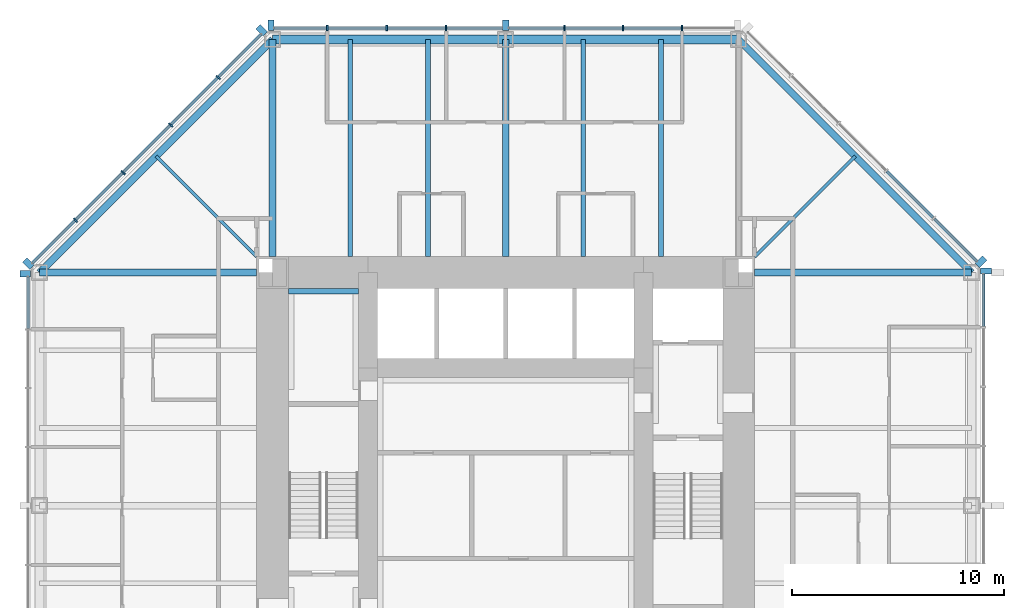
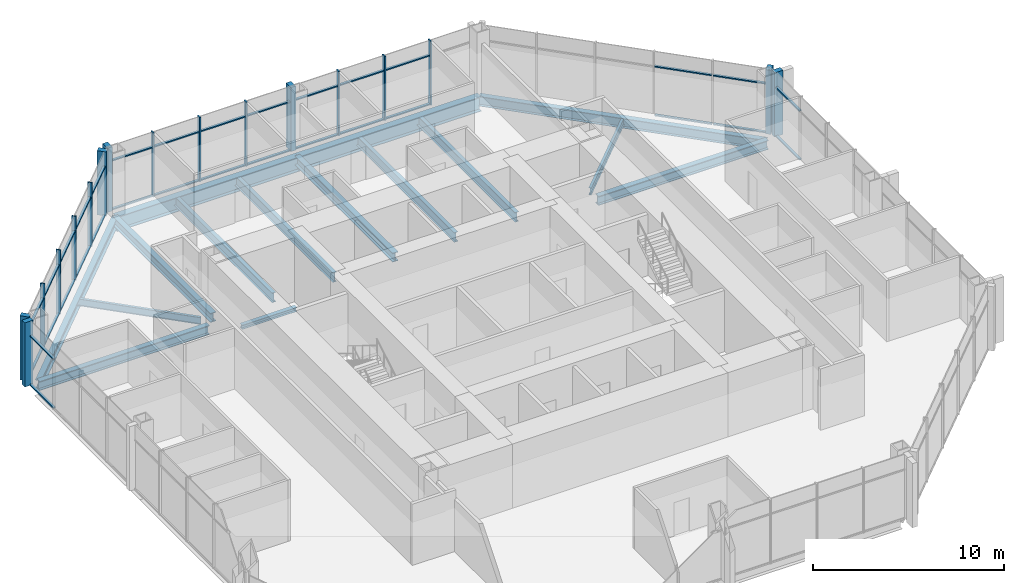
# One storey, part 5 of 12: 49 members, 15 beams, 5 elements without a shape of their own.
"""IFC4 building model written with IfcOpenShell, lengths in metres."""

from ifc_helpers import new_model, si_unit, direction, frame, origin, origin_2d, place, context, subcontext, project, spatial, rectangle, i_section, extrude, material, material_profile, profile_set, type_object, element, aggregate, save


model = new_model("IFC4")

# Units and contexts
model_context = context("Model", 3, precision=1e-05, world=origin(), true_north=direction((0.0, 1.0)))
body_context = subcontext(model_context, "Body", "Model", "MODEL_VIEW")
ifc_project = project(units=[si_unit("LENGTHUNIT", "METRE"), si_unit("AREAUNIT", "SQUARE_METRE"), si_unit("VOLUMEUNIT", "CUBIC_METRE"), si_unit("PLANEANGLEUNIT", "RADIAN"), si_unit("MASSUNIT", "GRAM", prefix="KILO")], contexts=[model_context])

# Site, building, storey
site_placement = place(None, origin())
site = spatial("IfcSite", under=ifc_project, at=site_placement, CompositionType="ELEMENT")
building_placement = place(site_placement, origin())
building = spatial("IfcBuilding", under=site, at=building_placement, Name="Trevanion Tower", CompositionType="ELEMENT")
storey_placement = place(building_placement, frame((0.0, 0.0, 125.39990234375)))
storey = spatial("IfcBuildingStorey", under=building, at=storey_placement, Name="L29", CompositionType="ELEMENT", Elevation=125.39990234375)

# Beams
ifc_material_1 = material(Name="Steel ASTM A992 Grade 50", Category="steel")
ifc_material_profile_1 = material_profile(ifc_material_1, i_section(OverallWidth=0.22900390625, OverallDepth=0.612060546875, WebThickness=0.011962890625, FlangeThickness=0.01953125, at=origin_2d()), Name="W24X84")
ifc_profile_set_1 = profile_set([ifc_material_profile_1], Name="Steel ASTM A992 Grade 50")
beam_type_1 = type_object("IfcBeamType", Name="B7 W24X84", PredefinedType="BEAM", material=ifc_profile_set_1)
for number, where, z_axis, x_axis, name in (
    (1, (7.333251953125, 11.75, -0.49609375), (0.0, 1.0, 0.0), (-1.0, 0.0, 0.0), "B7 L29"),
    (2, (3.666748046875, 11.75, -0.49609375), (0.0, 1.0, 0.0), (-1.0, 0.0, 0.0), "B7 L29"),
    (3, (-3.666748046875, 11.75, -0.49609375), (0.0, 1.0, 0.0), (-1.0, 0.0, 0.0), "B7 L29"),
    (4, (-7.333251953125, 11.75, -0.49609375), (0.0, 1.0, 0.0), (-1.0, 0.0, 0.0), "B7 L29"),
):
    element("IfcBeam", number, at=place(storey_placement, frame(where, z_axis=z_axis, x_axis=x_axis)), inside=storey, type_object=beam_type_1, Name=name, PredefinedType="BEAM", context=body_context, shape_type="SweptSolid", body=[
        extrude(i_section(OverallWidth=0.22900390625, OverallDepth=0.612060546875, WebThickness=0.011962890625, FlangeThickness=0.01953125, at=origin_2d()), origin(), (0.0, 0.0, 1.0), 10.25),
    ])
ifc_material_2 = material(Name="Steel ASTM A992 Grade 50", Category="steel")
ifc_material_profile_2 = material_profile(ifc_material_2, i_section(OverallWidth=0.15234375, OverallDepth=0.449462890625, WebThickness=0.007568359375, FlangeThickness=0.0107421875, at=origin_2d()), Name="W18X35")
ifc_profile_set_2 = profile_set([ifc_material_profile_2], Name="Steel ASTM A992 Grade 50")
beam_type_2 = type_object("IfcBeamType", Name="B8 W18X35", PredefinedType="BEAM", material=ifc_profile_set_2)
for number, where, z_axis, x_axis, name in (
    (5, (11.75, 11.75, -0.414794921875), (0.707106781187, 0.707106781187, 0.0), (-0.707106781187, 0.707106781187, 0.0), "B8 L29"),
    (6, (-11.75, 11.75, -0.414794921875), (-0.707106781187, 0.707106781187, 0.0), (-0.707106781187, -0.707106781187, 0.0), "B8 L29"),
):
    element("IfcBeam", number, at=place(storey_placement, frame(where, z_axis=z_axis, x_axis=x_axis)), inside=storey, type_object=beam_type_2, Name=name, PredefinedType="BEAM", context=body_context, shape_type="SweptSolid", body=[
        extrude(i_section(OverallWidth=0.15234375, OverallDepth=0.449462890625, WebThickness=0.007568359375, FlangeThickness=0.0107421875, at=origin_2d()), origin(), (0.0, 0.0, 1.0), 6.717529296875),
    ])

# Curtain wall, members
ifc_material_3 = material(Name="Aluminium and glass", Category="aluminium")
curtain_wall_type = type_object("IfcCurtainWallType", Name="CW2 curtain wall", PredefinedType="USERDEFINED", material=ifc_material_3)
curtain_wall_1_placement = place(storey_placement, origin())
curtain_wall_1 = element("IfcCurtainWall", 7, at=curtain_wall_1_placement, inside=storey, type_object=curtain_wall_type, Name="CW2 L29 2", ObjectType="UNITISED CURTAIN WALL", PredefinedType="USERDEFINED")
ifc_material_4 = material(Name="Aluminium extrusion, anodised bronze", Category="aluminium")
ifc_material_profile_3 = material_profile(ifc_material_4, rectangle(XDim=0.074951171875, YDim=0.25, at=origin_2d()), Name="CW2 mullion")
ifc_profile_set_3 = profile_set([ifc_material_profile_3], Name="Aluminium extrusion, anodised bronze")
member_type_1 = type_object("IfcMemberType", Name="CW2 mullion", PredefinedType="MULLION", material=ifc_profile_set_3)
member_1_placement = place(storey_placement, frame((8.323486328125, 22.550048828125, -0.18994140625), z_axis=(0.0, 0.0, 1.0), x_axis=(-1.0, 0.0, 0.0)))
member_1 = element("IfcMember", 8, at=member_1_placement, type_object=member_type_1, Name="CW2 mullion 2", PredefinedType="MULLION", context=body_context, shape_type="SweptSolid", body=[
    extrude(rectangle(XDim=0.074951171875, YDim=0.25, at=origin_2d()), origin(), (0.0, 0.0, 1.0), 4.10009765625),
])
member_2_placement = place(storey_placement, frame((5.548828125, 22.550048828125, -0.18994140625), z_axis=(0.0, 0.0, 1.0), x_axis=(-1.0, 0.0, 0.0)))
member_2 = element("IfcMember", 9, at=member_2_placement, type_object=member_type_1, Name="CW2 mullion 3", PredefinedType="MULLION", context=body_context, shape_type="SweptSolid", body=[
    extrude(rectangle(XDim=0.074951171875, YDim=0.25, at=origin_2d()), origin(), (0.0, 0.0, 1.0), 4.10009765625),
])
member_3_placement = place(storey_placement, frame((2.7744140625, 22.550048828125, -0.18994140625), z_axis=(0.0, 0.0, 1.0), x_axis=(-1.0, 0.0, 0.0)))
member_3 = element("IfcMember", 10, at=member_3_placement, type_object=member_type_1, Name="CW2 mullion 4", PredefinedType="MULLION", context=body_context, shape_type="SweptSolid", body=[
    extrude(rectangle(XDim=0.074951171875, YDim=0.25, at=origin_2d()), origin(), (0.0, 0.0, 1.0), 4.10009765625),
])
member_4_placement = place(storey_placement, frame((-2.806884765625, 22.550048828125, -0.18994140625), z_axis=(0.0, 0.0, 1.0), x_axis=(-1.0, 0.0, 0.0)))
member_4 = element("IfcMember", 11, at=member_4_placement, type_object=member_type_1, Name="CW2 mullion 6", PredefinedType="MULLION", context=body_context, shape_type="SweptSolid", body=[
    extrude(rectangle(XDim=0.074951171875, YDim=0.25, at=origin_2d()), origin(), (0.0, 0.0, 1.0), 4.10009765625),
])
member_5_placement = place(storey_placement, frame((-5.614013671875, 22.550048828125, -0.18994140625), z_axis=(0.0, 0.0, 1.0), x_axis=(-1.0, 0.0, 0.0)))
member_5 = element("IfcMember", 12, at=member_5_placement, type_object=member_type_1, Name="CW2 mullion 7", PredefinedType="MULLION", context=body_context, shape_type="SweptSolid", body=[
    extrude(rectangle(XDim=0.074951171875, YDim=0.25, at=origin_2d()), origin(), (0.0, 0.0, 1.0), 4.10009765625),
])
member_6_placement = place(storey_placement, frame((-8.4208984375, 22.550048828125, -0.18994140625), z_axis=(0.0, 0.0, 1.0), x_axis=(-1.0, 0.0, 0.0)))
member_6 = element("IfcMember", 13, at=member_6_placement, type_object=member_type_1, Name="CW2 mullion 8", PredefinedType="MULLION", context=body_context, shape_type="SweptSolid", body=[
    extrude(rectangle(XDim=0.074951171875, YDim=0.25, at=origin_2d()), origin(), (0.0, 0.0, 1.0), 4.10009765625),
])

curtain_wall_2_placement = place(storey_placement, origin())
curtain_wall_2 = element("IfcCurtainWall", 14, at=curtain_wall_2_placement, inside=storey, type_object=curtain_wall_type, Name="CW2 L29 3", ObjectType="UNITISED CURTAIN WALL", PredefinedType="USERDEFINED")
member_7_placement = place(storey_placement, frame((-13.56591796875, 20.2119140625, -0.18994140625), z_axis=(0.0, 0.0, 1.0), x_axis=(-0.707106781187, -0.707106781187, 0.0)))
member_7 = element("IfcMember", 15, at=member_7_placement, type_object=member_type_1, Name="CW2 mullion 2", PredefinedType="MULLION", context=body_context, shape_type="SweptSolid", body=[
    extrude(rectangle(XDim=0.074951171875, YDim=0.25, at=origin_2d()), origin(), (0.0, 0.0, 1.0), 4.10009765625),
])
member_8_placement = place(storey_placement, frame((-15.811767578125, 17.966064453125, -0.18994140625), z_axis=(0.0, 0.0, 1.0), x_axis=(-0.707106781187, -0.707106781187, 0.0)))
member_8 = element("IfcMember", 16, at=member_8_placement, type_object=member_type_1, Name="CW2 mullion 3", PredefinedType="MULLION", context=body_context, shape_type="SweptSolid", body=[
    extrude(rectangle(XDim=0.074951171875, YDim=0.25, at=origin_2d()), origin(), (0.0, 0.0, 1.0), 4.10009765625),
])
member_9_placement = place(storey_placement, frame((-18.057861328125, 15.719970703125, -0.18994140625), z_axis=(0.0, 0.0, 1.0), x_axis=(-0.707106781187, -0.707106781187, 0.0)))
member_9 = element("IfcMember", 17, at=member_9_placement, type_object=member_type_1, Name="CW2 mullion 4", PredefinedType="MULLION", context=body_context, shape_type="SweptSolid", body=[
    extrude(rectangle(XDim=0.074951171875, YDim=0.25, at=origin_2d()), origin(), (0.0, 0.0, 1.0), 4.10009765625),
])
member_10_placement = place(storey_placement, frame((-20.303955078125, 13.473876953125, -0.18994140625), z_axis=(0.0, 0.0, 1.0), x_axis=(-0.707106781187, -0.707106781187, 0.0)))
member_10 = element("IfcMember", 18, at=member_10_placement, type_object=member_type_1, Name="CW2 mullion 5", PredefinedType="MULLION", context=body_context, shape_type="SweptSolid", body=[
    extrude(rectangle(XDim=0.074951171875, YDim=0.25, at=origin_2d()), origin(), (0.0, 0.0, 1.0), 4.10009765625),
])

# Curtain wall, member
curtain_wall_3_placement = place(storey_placement, origin())
curtain_wall_3 = element("IfcCurtainWall", 19, at=curtain_wall_3_placement, inside=storey, type_object=curtain_wall_type, Name="CW2 L29 0", ObjectType="UNITISED CURTAIN WALL", PredefinedType="USERDEFINED")
ifc_material_5 = material(Name="Aluminium extrusion, anodised bronze", Category="aluminium")
ifc_material_profile_4 = material_profile(ifc_material_5, rectangle(XDim=0.300048828125, YDim=0.5, at=origin_2d()), Name="CW2 pier mullion")
ifc_profile_set_4 = profile_set([ifc_material_profile_4], Name="Aluminium extrusion, anodised bronze")
member_type_2 = type_object("IfcMemberType", Name="CW2 pier mullion", PredefinedType="MULLION", material=ifc_profile_set_4)
member_11_placement = place(storey_placement, frame((22.675048828125, 11.077880859375, -0.18994140625), z_axis=(0.0, 0.0, 1.0), x_axis=(0.0, 1.0, 0.0)))
member_11 = element("IfcMember", 20, at=member_11_placement, type_object=member_type_2, Name="CW2 pier mullion 9", PredefinedType="MULLION", context=body_context, shape_type="SweptSolid", body=[
    extrude(rectangle(XDim=0.300048828125, YDim=0.5, at=origin_2d()), origin(), (0.0, 0.0, 1.0), 4.10009765625),
])

curtain_wall_4_placement = place(storey_placement, origin())
curtain_wall_4 = element("IfcCurtainWall", 21, at=curtain_wall_4_placement, inside=storey, type_object=curtain_wall_type, Name="CW2 L29 1", ObjectType="UNITISED CURTAIN WALL", PredefinedType="USERDEFINED")
member_12_placement = place(storey_placement, frame((22.4404296875, 11.51416015625, -0.18994140625), z_axis=(0.0, 0.0, 1.0), x_axis=(-0.707106781187, 0.707106781187, 0.0)))
member_12 = element("IfcMember", 22, at=member_12_placement, type_object=member_type_2, Name="CW2 pier mullion 1", PredefinedType="MULLION", context=body_context, shape_type="SweptSolid", body=[
    extrude(rectangle(XDim=0.300048828125, YDim=0.5, at=origin_2d()), origin(), (0.0, 0.0, 1.0), 4.10009765625),
])

# Member
member_13_placement = place(storey_placement, frame((0.0, 22.675048828125, -0.18994140625), z_axis=(0.0, 0.0, 1.0), x_axis=(-1.0, 0.0, 0.0)))
member_13 = element("IfcMember", 23, at=member_13_placement, type_object=member_type_2, Name="CW2 pier mullion 5", PredefinedType="MULLION", context=body_context, shape_type="SweptSolid", body=[
    extrude(rectangle(XDim=0.300048828125, YDim=0.5, at=origin_2d()), origin(), (0.0, 0.0, 1.0), 4.10009765625),
])

member_14_placement = place(storey_placement, frame((-11.077880859375, 22.675048828125, -0.18994140625), z_axis=(0.0, 0.0, 1.0), x_axis=(-1.0, 0.0, 0.0)))
member_14 = element("IfcMember", 24, at=member_14_placement, type_object=member_type_2, Name="CW2 pier mullion 9", PredefinedType="MULLION", context=body_context, shape_type="SweptSolid", body=[
    extrude(rectangle(XDim=0.300048828125, YDim=0.5, at=origin_2d()), origin(), (0.0, 0.0, 1.0), 4.10009765625),
])

member_15_placement = place(storey_placement, frame((-11.51416015625, 22.4404296875, -0.18994140625), z_axis=(0.0, 0.0, 1.0), x_axis=(-0.707106781187, -0.707106781187, 0.0)))
member_15 = element("IfcMember", 25, at=member_15_placement, type_object=member_type_2, Name="CW2 pier mullion 1", PredefinedType="MULLION", context=body_context, shape_type="SweptSolid", body=[
    extrude(rectangle(XDim=0.300048828125, YDim=0.5, at=origin_2d()), origin(), (0.0, 0.0, 1.0), 4.10009765625),
])

member_16_placement = place(storey_placement, frame((-22.5322265625, 11.42236328125, -0.18994140625), z_axis=(0.0, 0.0, 1.0), x_axis=(-0.707106781187, -0.707106781187, 0.0)))
member_16 = element("IfcMember", 26, at=member_16_placement, type_object=member_type_2, Name="CW2 pier mullion 6", PredefinedType="MULLION", context=body_context, shape_type="SweptSolid", body=[
    extrude(rectangle(XDim=0.300048828125, YDim=0.5, at=origin_2d()), origin(), (0.0, 0.0, 1.0), 4.10009765625),
])

# Curtain wall, member
curtain_wall_5_placement = place(storey_placement, origin())
curtain_wall_5 = element("IfcCurtainWall", 27, at=curtain_wall_5_placement, inside=storey, type_object=curtain_wall_type, Name="CW2 L29 4", ObjectType="UNITISED CURTAIN WALL", PredefinedType="USERDEFINED")
member_17_placement = place(storey_placement, frame((-22.675048828125, 10.94775390625, -0.18994140625), z_axis=(0.0, 0.0, 1.0), x_axis=(0.0, -1.0, 0.0)))
member_17 = element("IfcMember", 28, at=member_17_placement, type_object=member_type_2, Name="CW2 pier mullion 1", PredefinedType="MULLION", context=body_context, shape_type="SweptSolid", body=[
    extrude(rectangle(XDim=0.300048828125, YDim=0.5, at=origin_2d()), origin(), (0.0, 0.0, 1.0), 4.10009765625),
])

# Member
ifc_material_6 = material(Name="Aluminium extrusion, anodised bronze", Category="aluminium")
ifc_material_profile_5 = material_profile(ifc_material_6, rectangle(XDim=0.14990234375, YDim=0.074951171875, at=origin_2d()), Name="CW2 transom")
ifc_profile_set_5 = profile_set([ifc_material_profile_5], Name="Aluminium extrusion, anodised bronze")
member_type_3 = type_object("IfcMemberType", Name="CW2 transom", PredefinedType="USERDEFINED", material=ifc_profile_set_5)
member_18_placement = place(storey_placement, frame((22.550048828125, 8.45849609375, -0.15234375), z_axis=(0.0, 1.0, 0.0), x_axis=(-1.0, 0.0, 0.0)))
member_18 = element("IfcMember", 29, at=member_18_placement, type_object=member_type_3, Name="CW2 transom 8.1", ObjectType="TRANSOM", PredefinedType="USERDEFINED", context=body_context, shape_type="SweptSolid", body=[
    extrude(rectangle(XDim=0.14990234375, YDim=0.074951171875, at=origin_2d()), origin(), (0.0, 0.0, 1.0), 2.46923828125),
])

member_19_placement = place(storey_placement, frame((22.550048828125, 8.45849609375, 2.960205078125), z_axis=(0.0, 1.0, 0.0), x_axis=(-1.0, 0.0, 0.0)))
member_19 = element("IfcMember", 30, at=member_19_placement, type_object=member_type_3, Name="CW2 transom 8.2", ObjectType="TRANSOM", PredefinedType="USERDEFINED", context=body_context, shape_type="SweptSolid", body=[
    extrude(rectangle(XDim=0.14990234375, YDim=0.074951171875, at=origin_2d()), origin(), (0.0, 0.0, 1.0), 2.46923828125),
])

aggregate(curtain_wall_3, [member_11, member_18, member_19])

member_20_placement = place(storey_placement, frame((22.245849609375, 11.531982421875, -0.15234375), z_axis=(-0.707106781187, 0.707106781187, 0.0), x_axis=(-0.707106781187, -0.707106781187, 0.0)))
member_20 = element("IfcMember", 31, at=member_20_placement, type_object=member_type_3, Name="CW2 transom 1.1", ObjectType="TRANSOM", PredefinedType="USERDEFINED", context=body_context, shape_type="SweptSolid", body=[
    extrude(rectangle(XDim=0.14990234375, YDim=0.074951171875, at=origin_2d()), origin(), (0.0, 0.0, 1.0), 2.8388671875),
])

member_21_placement = place(storey_placement, frame((22.245849609375, 11.531982421875, 2.960205078125), z_axis=(-0.707106781187, 0.707106781187, 0.0), x_axis=(-0.707106781187, -0.707106781187, 0.0)))
member_21 = element("IfcMember", 32, at=member_21_placement, type_object=member_type_3, Name="CW2 transom 1.2", ObjectType="TRANSOM", PredefinedType="USERDEFINED", context=body_context, shape_type="SweptSolid", body=[
    extrude(rectangle(XDim=0.14990234375, YDim=0.074951171875, at=origin_2d()), origin(), (0.0, 0.0, 1.0), 2.8388671875),
])

member_22_placement = place(storey_placement, frame((20.185546875, 13.59228515625, -0.15234375), z_axis=(-0.707106781187, 0.707106781187, 0.0), x_axis=(-0.707106781187, -0.707106781187, 0.0)))
member_22 = element("IfcMember", 33, at=member_22_placement, type_object=member_type_3, Name="CW2 transom 2.1", ObjectType="TRANSOM", PredefinedType="USERDEFINED", context=body_context, shape_type="SweptSolid", body=[
    extrude(rectangle(XDim=0.14990234375, YDim=0.074951171875, at=origin_2d()), origin(), (0.0, 0.0, 1.0), 3.1015625),
])

member_23_placement = place(storey_placement, frame((20.185546875, 13.59228515625, 2.960205078125), z_axis=(-0.707106781187, 0.707106781187, 0.0), x_axis=(-0.707106781187, -0.707106781187, 0.0)))
member_23 = element("IfcMember", 34, at=member_23_placement, type_object=member_type_3, Name="CW2 transom 2.2", ObjectType="TRANSOM", PredefinedType="USERDEFINED", context=body_context, shape_type="SweptSolid", body=[
    extrude(rectangle(XDim=0.14990234375, YDim=0.074951171875, at=origin_2d()), origin(), (0.0, 0.0, 1.0), 3.1015625),
])

aggregate(curtain_wall_4, [member_12, member_20, member_21, member_22, member_23])

member_24_placement = place(storey_placement, frame((8.285888671875, 22.550048828125, -0.15234375), z_axis=(-1.0, 0.0, 0.0), x_axis=(0.0, -1.0, 0.0)))
member_24 = element("IfcMember", 35, at=member_24_placement, type_object=member_type_3, Name="CW2 transom 2.1", ObjectType="TRANSOM", PredefinedType="USERDEFINED", context=body_context, shape_type="SweptSolid", body=[
    extrude(rectangle(XDim=0.14990234375, YDim=0.074951171875, at=origin_2d()), origin(), (0.0, 0.0, 1.0), 2.699462890625),
])

member_25_placement = place(storey_placement, frame((8.285888671875, 22.550048828125, 2.960205078125), z_axis=(-1.0, 0.0, 0.0), x_axis=(0.0, -1.0, 0.0)))
member_25 = element("IfcMember", 36, at=member_25_placement, type_object=member_type_3, Name="CW2 transom 2.2", ObjectType="TRANSOM", PredefinedType="USERDEFINED", context=body_context, shape_type="SweptSolid", body=[
    extrude(rectangle(XDim=0.14990234375, YDim=0.074951171875, at=origin_2d()), origin(), (0.0, 0.0, 1.0), 2.699462890625),
])

member_26_placement = place(storey_placement, frame((5.511474609375, 22.550048828125, -0.15234375), z_axis=(-1.0, 0.0, 0.0), x_axis=(0.0, -1.0, 0.0)))
member_26 = element("IfcMember", 37, at=member_26_placement, type_object=member_type_3, Name="CW2 transom 3.1", ObjectType="TRANSOM", PredefinedType="USERDEFINED", context=body_context, shape_type="SweptSolid", body=[
    extrude(rectangle(XDim=0.14990234375, YDim=0.074951171875, at=origin_2d()), origin(), (0.0, 0.0, 1.0), 2.699462890625),
])

member_27_placement = place(storey_placement, frame((5.511474609375, 22.550048828125, 2.960205078125), z_axis=(-1.0, 0.0, 0.0), x_axis=(0.0, -1.0, 0.0)))
member_27 = element("IfcMember", 38, at=member_27_placement, type_object=member_type_3, Name="CW2 transom 3.2", ObjectType="TRANSOM", PredefinedType="USERDEFINED", context=body_context, shape_type="SweptSolid", body=[
    extrude(rectangle(XDim=0.14990234375, YDim=0.074951171875, at=origin_2d()), origin(), (0.0, 0.0, 1.0), 2.699462890625),
])

member_28_placement = place(storey_placement, frame((2.737060546875, 22.550048828125, -0.15234375), z_axis=(-1.0, 0.0, 0.0), x_axis=(0.0, -1.0, 0.0)))
member_28 = element("IfcMember", 39, at=member_28_placement, type_object=member_type_3, Name="CW2 transom 4.1", ObjectType="TRANSOM", PredefinedType="USERDEFINED", context=body_context, shape_type="SweptSolid", body=[
    extrude(rectangle(XDim=0.14990234375, YDim=0.074951171875, at=origin_2d()), origin(), (0.0, 0.0, 1.0), 2.587158203125),
])

member_29_placement = place(storey_placement, frame((2.737060546875, 22.550048828125, 2.960205078125), z_axis=(-1.0, 0.0, 0.0), x_axis=(0.0, -1.0, 0.0)))
member_29 = element("IfcMember", 40, at=member_29_placement, type_object=member_type_3, Name="CW2 transom 4.2", ObjectType="TRANSOM", PredefinedType="USERDEFINED", context=body_context, shape_type="SweptSolid", body=[
    extrude(rectangle(XDim=0.14990234375, YDim=0.074951171875, at=origin_2d()), origin(), (0.0, 0.0, 1.0), 2.587158203125),
])

member_30_placement = place(storey_placement, frame((-0.14990234375, 22.550048828125, -0.15234375), z_axis=(-1.0, 0.0, 0.0), x_axis=(0.0, -1.0, 0.0)))
member_30 = element("IfcMember", 41, at=member_30_placement, type_object=member_type_3, Name="CW2 transom 5.1", ObjectType="TRANSOM", PredefinedType="USERDEFINED", context=body_context, shape_type="SweptSolid", body=[
    extrude(rectangle(XDim=0.14990234375, YDim=0.074951171875, at=origin_2d()), origin(), (0.0, 0.0, 1.0), 2.619384765625),
])

member_31_placement = place(storey_placement, frame((-0.14990234375, 22.550048828125, 2.960205078125), z_axis=(-1.0, 0.0, 0.0), x_axis=(0.0, -1.0, 0.0)))
member_31 = element("IfcMember", 42, at=member_31_placement, type_object=member_type_3, Name="CW2 transom 5.2", ObjectType="TRANSOM", PredefinedType="USERDEFINED", context=body_context, shape_type="SweptSolid", body=[
    extrude(rectangle(XDim=0.14990234375, YDim=0.074951171875, at=origin_2d()), origin(), (0.0, 0.0, 1.0), 2.619384765625),
])

member_32_placement = place(storey_placement, frame((-2.844482421875, 22.550048828125, -0.15234375), z_axis=(-1.0, 0.0, 0.0), x_axis=(0.0, -1.0, 0.0)))
member_32 = element("IfcMember", 43, at=member_32_placement, type_object=member_type_3, Name="CW2 transom 6.1", ObjectType="TRANSOM", PredefinedType="USERDEFINED", context=body_context, shape_type="SweptSolid", body=[
    extrude(rectangle(XDim=0.14990234375, YDim=0.074951171875, at=origin_2d()), origin(), (0.0, 0.0, 1.0), 2.73193359375),
])

member_33_placement = place(storey_placement, frame((-2.844482421875, 22.550048828125, 2.960205078125), z_axis=(-1.0, 0.0, 0.0), x_axis=(0.0, -1.0, 0.0)))
member_33 = element("IfcMember", 44, at=member_33_placement, type_object=member_type_3, Name="CW2 transom 6.2", ObjectType="TRANSOM", PredefinedType="USERDEFINED", context=body_context, shape_type="SweptSolid", body=[
    extrude(rectangle(XDim=0.14990234375, YDim=0.074951171875, at=origin_2d()), origin(), (0.0, 0.0, 1.0), 2.73193359375),
])

member_34_placement = place(storey_placement, frame((-5.6513671875, 22.550048828125, -0.15234375), z_axis=(-1.0, 0.0, 0.0), x_axis=(0.0, -1.0, 0.0)))
member_34 = element("IfcMember", 45, at=member_34_placement, type_object=member_type_3, Name="CW2 transom 7.1", ObjectType="TRANSOM", PredefinedType="USERDEFINED", context=body_context, shape_type="SweptSolid", body=[
    extrude(rectangle(XDim=0.14990234375, YDim=0.074951171875, at=origin_2d()), origin(), (0.0, 0.0, 1.0), 2.73193359375),
])

member_35_placement = place(storey_placement, frame((-5.6513671875, 22.550048828125, 2.960205078125), z_axis=(-1.0, 0.0, 0.0), x_axis=(0.0, -1.0, 0.0)))
member_35 = element("IfcMember", 46, at=member_35_placement, type_object=member_type_3, Name="CW2 transom 7.2", ObjectType="TRANSOM", PredefinedType="USERDEFINED", context=body_context, shape_type="SweptSolid", body=[
    extrude(rectangle(XDim=0.14990234375, YDim=0.074951171875, at=origin_2d()), origin(), (0.0, 0.0, 1.0), 2.73193359375),
])

member_36_placement = place(storey_placement, frame((-8.45849609375, 22.550048828125, -0.15234375), z_axis=(-1.0, 0.0, 0.0), x_axis=(0.0, -1.0, 0.0)))
member_36 = element("IfcMember", 47, at=member_36_placement, type_object=member_type_3, Name="CW2 transom 8.1", ObjectType="TRANSOM", PredefinedType="USERDEFINED", context=body_context, shape_type="SweptSolid", body=[
    extrude(rectangle(XDim=0.14990234375, YDim=0.074951171875, at=origin_2d()), origin(), (0.0, 0.0, 1.0), 2.46923828125),
])

member_37_placement = place(storey_placement, frame((-8.45849609375, 22.550048828125, 2.960205078125), z_axis=(-1.0, 0.0, 0.0), x_axis=(0.0, -1.0, 0.0)))
member_37 = element("IfcMember", 48, at=member_37_placement, type_object=member_type_3, Name="CW2 transom 8.2", ObjectType="TRANSOM", PredefinedType="USERDEFINED", context=body_context, shape_type="SweptSolid", body=[
    extrude(rectangle(XDim=0.14990234375, YDim=0.074951171875, at=origin_2d()), origin(), (0.0, 0.0, 1.0), 2.46923828125),
])

aggregate(curtain_wall_1, [member_1, member_2, member_3, member_13, member_4, member_5, member_6, member_14, member_24, member_25, member_26, member_27, member_28, member_29, member_30, member_31, member_32, member_33, member_34, member_35, member_36, member_37])

member_38_placement = place(storey_placement, frame((-11.531982421875, 22.245849609375, -0.15234375), z_axis=(-0.707106781187, -0.707106781187, 0.0), x_axis=(0.707106781187, -0.707106781187, 0.0)))
member_38 = element("IfcMember", 49, at=member_38_placement, type_object=member_type_3, Name="CW2 transom 1.1", ObjectType="TRANSOM", PredefinedType="USERDEFINED", context=body_context, shape_type="SweptSolid", body=[
    extrude(rectangle(XDim=0.14990234375, YDim=0.074951171875, at=origin_2d()), origin(), (0.0, 0.0, 1.0), 2.8388671875),
])

member_39_placement = place(storey_placement, frame((-11.531982421875, 22.245849609375, 2.960205078125), z_axis=(-0.707106781187, -0.707106781187, 0.0), x_axis=(0.707106781187, -0.707106781187, 0.0)))
member_39 = element("IfcMember", 50, at=member_39_placement, type_object=member_type_3, Name="CW2 transom 1.2", ObjectType="TRANSOM", PredefinedType="USERDEFINED", context=body_context, shape_type="SweptSolid", body=[
    extrude(rectangle(XDim=0.14990234375, YDim=0.074951171875, at=origin_2d()), origin(), (0.0, 0.0, 1.0), 2.8388671875),
])

member_40_placement = place(storey_placement, frame((-13.59228515625, 20.185546875, -0.15234375), z_axis=(-0.707106781187, -0.707106781187, 0.0), x_axis=(0.707106781187, -0.707106781187, 0.0)))
member_40 = element("IfcMember", 51, at=member_40_placement, type_object=member_type_3, Name="CW2 transom 2.1", ObjectType="TRANSOM", PredefinedType="USERDEFINED", context=body_context, shape_type="SweptSolid", body=[
    extrude(rectangle(XDim=0.14990234375, YDim=0.074951171875, at=origin_2d()), origin(), (0.0, 0.0, 1.0), 3.1015625),
])

member_41_placement = place(storey_placement, frame((-13.59228515625, 20.185546875, 2.960205078125), z_axis=(-0.707106781187, -0.707106781187, 0.0), x_axis=(0.707106781187, -0.707106781187, 0.0)))
member_41 = element("IfcMember", 52, at=member_41_placement, type_object=member_type_3, Name="CW2 transom 2.2", ObjectType="TRANSOM", PredefinedType="USERDEFINED", context=body_context, shape_type="SweptSolid", body=[
    extrude(rectangle(XDim=0.14990234375, YDim=0.074951171875, at=origin_2d()), origin(), (0.0, 0.0, 1.0), 3.1015625),
])

member_42_placement = place(storey_placement, frame((-15.83837890625, 17.939453125, -0.15234375), z_axis=(-0.707106781187, -0.707106781187, 0.0), x_axis=(0.707106781187, -0.707106781187, 0.0)))
member_42 = element("IfcMember", 53, at=member_42_placement, type_object=member_type_3, Name="CW2 transom 3.1", ObjectType="TRANSOM", PredefinedType="USERDEFINED", context=body_context, shape_type="SweptSolid", body=[
    extrude(rectangle(XDim=0.14990234375, YDim=0.074951171875, at=origin_2d()), origin(), (0.0, 0.0, 1.0), 3.1015625),
])

member_43_placement = place(storey_placement, frame((-15.83837890625, 17.939453125, 2.960205078125), z_axis=(-0.707106781187, -0.707106781187, 0.0), x_axis=(0.707106781187, -0.707106781187, 0.0)))
member_43 = element("IfcMember", 54, at=member_43_placement, type_object=member_type_3, Name="CW2 transom 3.2", ObjectType="TRANSOM", PredefinedType="USERDEFINED", context=body_context, shape_type="SweptSolid", body=[
    extrude(rectangle(XDim=0.14990234375, YDim=0.074951171875, at=origin_2d()), origin(), (0.0, 0.0, 1.0), 3.1015625),
])

member_44_placement = place(storey_placement, frame((-18.08447265625, 15.693359375, -0.15234375), z_axis=(-0.707106781187, -0.707106781187, 0.0), x_axis=(0.707106781187, -0.707106781187, 0.0)))
member_44 = element("IfcMember", 55, at=member_44_placement, type_object=member_type_3, Name="CW2 transom 4.1", ObjectType="TRANSOM", PredefinedType="USERDEFINED", context=body_context, shape_type="SweptSolid", body=[
    extrude(rectangle(XDim=0.14990234375, YDim=0.074951171875, at=origin_2d()), origin(), (0.0, 0.0, 1.0), 3.10107421875),
])

member_45_placement = place(storey_placement, frame((-18.08447265625, 15.693359375, 2.960205078125), z_axis=(-0.707106781187, -0.707106781187, 0.0), x_axis=(0.707106781187, -0.707106781187, 0.0)))
member_45 = element("IfcMember", 56, at=member_45_placement, type_object=member_type_3, Name="CW2 transom 4.2", ObjectType="TRANSOM", PredefinedType="USERDEFINED", context=body_context, shape_type="SweptSolid", body=[
    extrude(rectangle(XDim=0.14990234375, YDim=0.074951171875, at=origin_2d()), origin(), (0.0, 0.0, 1.0), 3.10107421875),
])

member_46_placement = place(storey_placement, frame((-20.33056640625, 13.447509765625, -0.15234375), z_axis=(-0.707063781595, -0.707149778163, 0.0), x_axis=(0.707149778163, -0.707063781595, 0.0)))
member_46 = element("IfcMember", 57, at=member_46_placement, type_object=member_type_3, Name="CW2 transom 5.1", ObjectType="TRANSOM", PredefinedType="USERDEFINED", context=body_context, shape_type="SweptSolid", body=[
    extrude(rectangle(XDim=0.14990234375, YDim=0.074951171875, at=origin_2d()), origin(), (0.0, 0.0, 1.0), 2.8388671875),
])

member_47_placement = place(storey_placement, frame((-20.33056640625, 13.447509765625, 2.960205078125), z_axis=(-0.707063781595, -0.707149778163, 0.0), x_axis=(0.707149778163, -0.707063781595, 0.0)))
member_47 = element("IfcMember", 58, at=member_47_placement, type_object=member_type_3, Name="CW2 transom 5.2", ObjectType="TRANSOM", PredefinedType="USERDEFINED", context=body_context, shape_type="SweptSolid", body=[
    extrude(rectangle(XDim=0.14990234375, YDim=0.074951171875, at=origin_2d()), origin(), (0.0, 0.0, 1.0), 2.8388671875),
])

aggregate(curtain_wall_2, [member_15, member_7, member_8, member_9, member_10, member_16, member_38, member_39, member_40, member_41, member_42, member_43, member_44, member_45, member_46, member_47])

member_48_placement = place(storey_placement, frame((-22.550048828125, 10.7978515625, -0.15234375), z_axis=(0.0, -1.0, 0.0), x_axis=(1.0, 0.0, 0.0)))
member_48 = element("IfcMember", 59, at=member_48_placement, type_object=member_type_3, Name="CW2 transom 1.1", ObjectType="TRANSOM", PredefinedType="USERDEFINED", context=body_context, shape_type="SweptSolid", body=[
    extrude(rectangle(XDim=0.14990234375, YDim=0.074951171875, at=origin_2d()), origin(), (0.0, 0.0, 1.0), 2.43701171875),
])

member_49_placement = place(storey_placement, frame((-22.550048828125, 10.7978515625, 2.960205078125), z_axis=(0.0, -1.0, 0.0), x_axis=(1.0, 0.0, 0.0)))
member_49 = element("IfcMember", 60, at=member_49_placement, type_object=member_type_3, Name="CW2 transom 1.2", ObjectType="TRANSOM", PredefinedType="USERDEFINED", context=body_context, shape_type="SweptSolid", body=[
    extrude(rectangle(XDim=0.14990234375, YDim=0.074951171875, at=origin_2d()), origin(), (0.0, 0.0, 1.0), 2.43701171875),
])

aggregate(curtain_wall_5, [member_17, member_48, member_49])

# Beams
ifc_material_7 = material(Name="Steel ASTM A992 Grade 50", Category="steel")
ifc_material_profile_6 = material_profile(ifc_material_7, i_section(OverallWidth=0.320068359375, OverallDepth=0.584228515625, WebThickness=0.023193359375, FlangeThickness=0.04150390625, at=origin_2d()), Name="W21X201")
ifc_profile_set_6 = profile_set([ifc_material_profile_6], Name="Steel ASTM A992 Grade 50")
beam_type_3 = type_object("IfcBeamType", Name="G4 W21X201", PredefinedType="BEAM", material=ifc_profile_set_6)
for number, where, z_axis, x_axis, name in (
    (61, (11.75, 11.0, -0.48193359375), (1.0, 0.0, 0.0), (0.0, 1.0, 0.0), "G4 L29"),
    (62, (0.0, 11.75, -0.48193359375), (0.0, 1.0, 0.0), (-1.0, 0.0, 0.0), "G4 L29"),
    (63, (-11.0, 11.75, -0.48193359375), (0.0, 1.0, 0.0), (-1.0, 0.0, 0.0), "G4 L29"),
    (64, (-11.75, 11.0, -0.48193359375), (-1.0, 0.0, 0.0), (0.0, -1.0, 0.0), "G4 L29"),
):
    element("IfcBeam", number, at=place(storey_placement, frame(where, z_axis=z_axis, x_axis=x_axis)), inside=storey, type_object=beam_type_3, Name=name, PredefinedType="BEAM", context=body_context, shape_type="SweptSolid", body=[
        extrude(i_section(OverallWidth=0.320068359375, OverallDepth=0.584228515625, WebThickness=0.023193359375, FlangeThickness=0.04150390625, at=origin_2d()), origin(), (0.0, 0.0, 1.0), 10.25),
    ])
ifc_material_8 = material(Name="Steel ASTM A992 Grade 50", Category="steel")
ifc_material_profile_7 = material_profile(ifc_material_8, i_section(OverallWidth=0.256591796875, OverallDepth=0.26416015625, WebThickness=0.011962890625, FlangeThickness=0.01953125, at=origin_2d()), Name="W10X68")
ifc_profile_set_7 = profile_set([ifc_material_profile_7], Name="Steel ASTM A992 Grade 50")
beam_type_4 = type_object("IfcBeamType", Name="LB1 W10X68", PredefinedType="BEAM", material=ifc_profile_set_7)
beam_placement = place(storey_placement, frame((-10.25, 10.12158203125, -0.33203125), z_axis=(1.0, 0.0, 0.0), x_axis=(0.0, 1.0, 0.0)))
element("IfcBeam", 65, at=beam_placement, inside=storey, type_object=beam_type_4, Name="LB1 L29", PredefinedType="BEAM", context=body_context, shape_type="SweptSolid", body=[
    extrude(i_section(OverallWidth=0.256591796875, OverallDepth=0.26416015625, WebThickness=0.011962890625, FlangeThickness=0.01953125, at=origin_2d()), origin(), (0.0, 0.0, 1.0), 3.300048828125),
])
ifc_material_9 = material(Name="Steel ASTM A992 Grade 50", Category="steel")
ifc_material_profile_8 = material_profile(ifc_material_9, i_section(OverallWidth=0.419189453125, OverallDepth=0.927001953125, WebThickness=0.019287109375, FlangeThickness=0.031982421875, at=origin_2d()), Name="W36X231")
ifc_profile_set_8 = profile_set([ifc_material_profile_8], Name="Steel ASTM A992 Grade 50")
beam_type_5 = type_object("IfcBeamType", Name="SB4 W36X231", PredefinedType="SPANDREL", material=ifc_profile_set_8)
for number, where, z_axis, x_axis, name in (
    (66, (11.0, 22.0, -0.6533203125), (-1.0, 0.0, 0.0), (0.0, -1.0, 0.0), "SB4 L29"),
    (67, (0.0, 22.0, -0.6533203125), (-1.0, 0.0, 0.0), (0.0, -1.0, 0.0), "SB4 L29"),
):
    element("IfcBeam", number, at=place(storey_placement, frame(where, z_axis=z_axis, x_axis=x_axis)), inside=storey, type_object=beam_type_5, Name=name, PredefinedType="SPANDREL", context=body_context, shape_type="SweptSolid", body=[
        extrude(i_section(OverallWidth=0.419189453125, OverallDepth=0.927001953125, WebThickness=0.019287109375, FlangeThickness=0.031982421875, at=origin_2d()), origin(), (0.0, 0.0, 1.0), 11.0),
    ])
ifc_material_10 = material(Name="Steel ASTM A992 Grade 50", Category="steel")
ifc_material_profile_9 = material_profile(ifc_material_10, i_section(OverallWidth=0.32763671875, OverallDepth=0.62744140625, WebThickness=0.0166015625, FlangeThickness=0.027587890625, at=origin_2d()), Name="W24X146")
ifc_profile_set_9 = profile_set([ifc_material_profile_9], Name="Steel ASTM A992 Grade 50")
beam_type_6 = type_object("IfcBeamType", Name="SB5 W24X146", PredefinedType="SPANDREL", material=ifc_profile_set_9)
for number, where, z_axis, x_axis, name in (
    (68, (22.0, 11.0, -0.503662109375), (-0.707106781187, 0.707106781187, 0.0), (-0.707106781187, -0.707106781187, 0.0), "SB5 L29"),
    (69, (-11.0, 22.0, -0.503662109375), (-0.707106781187, -0.707106781187, 0.0), (0.707106781187, -0.707106781187, 0.0), "SB5 L29"),
):
    element("IfcBeam", number, at=place(storey_placement, frame(where, z_axis=z_axis, x_axis=x_axis)), inside=storey, type_object=beam_type_6, Name=name, PredefinedType="SPANDREL", context=body_context, shape_type="SweptSolid", body=[
        extrude(i_section(OverallWidth=0.32763671875, OverallDepth=0.62744140625, WebThickness=0.0166015625, FlangeThickness=0.027587890625, at=origin_2d()), origin(), (0.0, 0.0, 1.0), 15.556396484375),
    ])

save(model, "model.ifc")
